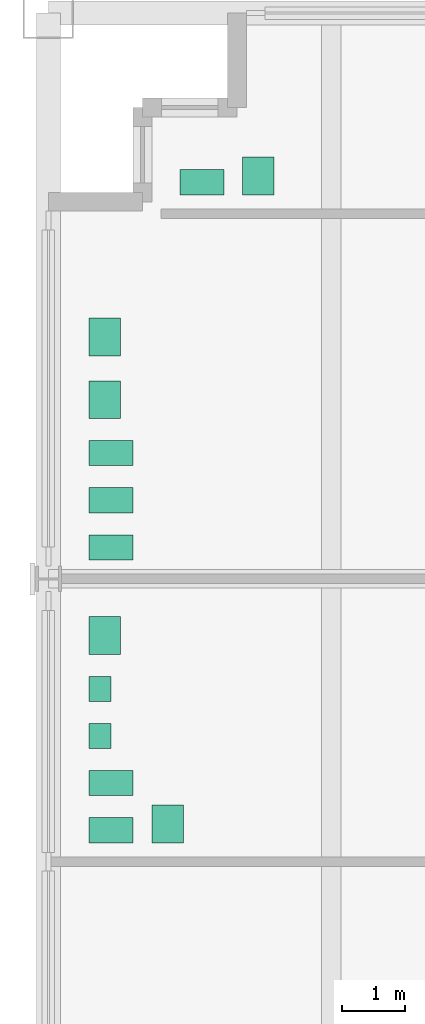
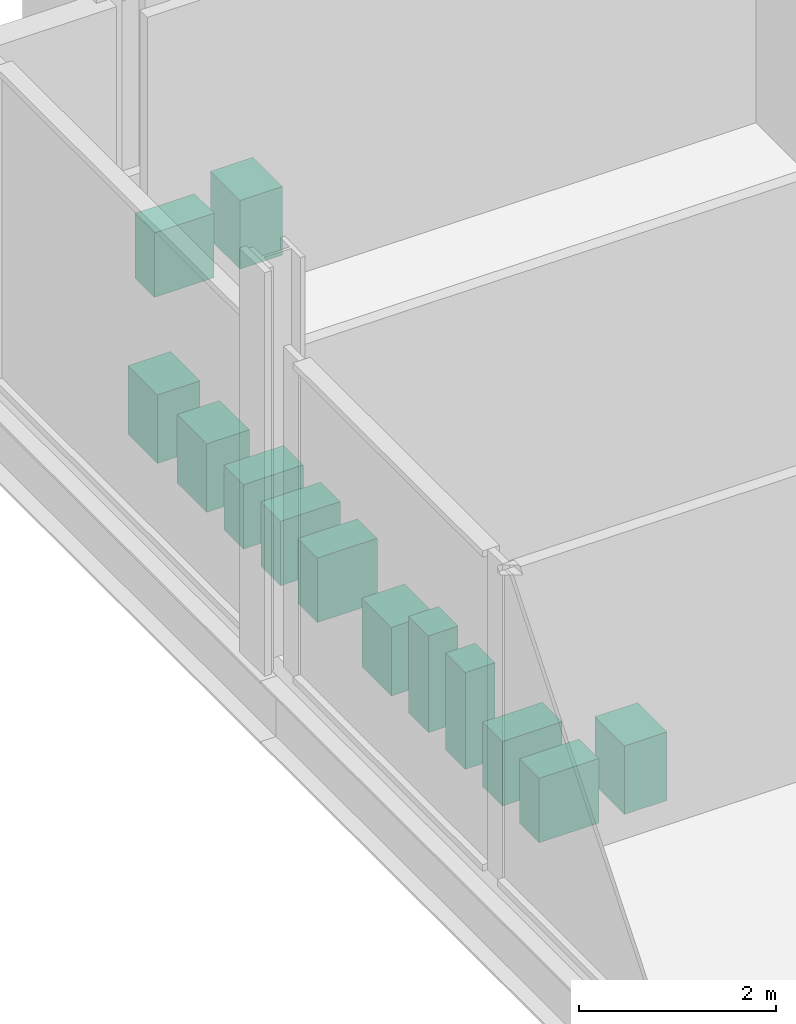
# One storey, part 7 of 7: 13 sanitary terminals.
"""IFC4 building model written with IfcOpenShell, lengths in metres."""

from ifc_helpers import new_model, si_unit, direction, frame, origin, origin_2d, place, context, subcontext, project, spatial, rectangle, extrude, element, save


model = new_model("IFC4")

# Units and contexts
model_context = context("Model", 3, precision=1e-05, world=origin(), true_north=direction((0.0, 1.0)))
body_context = subcontext(model_context, "Body", "Model", "MODEL_VIEW")
ifc_project = project(units=[si_unit("LENGTHUNIT", "METRE"), si_unit("AREAUNIT", "SQUARE_METRE"), si_unit("VOLUMEUNIT", "CUBIC_METRE"), si_unit("PLANEANGLEUNIT", "RADIAN"), si_unit("MASSUNIT", "GRAM", prefix="KILO")], contexts=[model_context])

# Site, building, storey
site_placement = place(None, origin())
site = spatial("IfcSite", under=ifc_project, at=site_placement, CompositionType="ELEMENT")
building_placement = place(site_placement, origin())
building = spatial("IfcBuilding", under=site, at=building_placement, Name="Loomwork Tower", CompositionType="ELEMENT")
storey_placement = place(building_placement, frame((0.0, 0.0, 269.800048828125)))
storey = spatial("IfcBuildingStorey", under=building, at=storey_placement, Name="L74", CompositionType="ELEMENT", Elevation=269.800048828125)

# Sanitary terminals
for number, where, z_axis, x_axis, name in (
    (1, (1.0, 14.0, 0.0), (0.0, 0.0, 1.0), (1.0, 0.0, 0.0), "WC L74"),
    (2, (1.0, 14.75, 0.0), (0.0, 0.0, 1.0), (1.0, 0.0, 0.0), "WC L74"),
):
    element("IfcSanitaryTerminal", number, at=place(storey_placement, frame(where, z_axis=z_axis, x_axis=x_axis)), inside=storey, Name=name, PredefinedType="TOILETPAN", context=body_context, shape_type="SweptSolid", body=[
        extrude(rectangle(XDim=0.699951171875, YDim=0.39990234375, at=origin_2d()), origin(), (0.0, 0.0, 1.0), 0.800048828125),
    ])
for number, where, z_axis, x_axis, name in (
    (3, (0.824951171875, 15.5, 0.0), (0.0, 0.0, 1.0), (1.0, 0.0, 0.0), "Urinal L74"),
    (4, (0.824951171875, 16.25, 0.0), (0.0, 0.0, 1.0), (1.0, 0.0, 0.0), "Urinal L74"),
):
    element("IfcSanitaryTerminal", number, at=place(storey_placement, frame(where, z_axis=z_axis, x_axis=x_axis)), inside=storey, Name=name, PredefinedType="URINAL", context=body_context, shape_type="SweptSolid", body=[
        extrude(rectangle(XDim=0.35009765625, YDim=0.39990234375, at=origin_2d()), origin(), (0.0, 0.0, 1.0), 1.199951171875),
    ])
for number, where, z_axis, x_axis, name in (
    (5, (0.89990234375, 17.10009765625, 0.0), (0.0, 0.0, 1.0), (1.0, 0.0, 0.0), "Basin vanity L74"),
    (6, (1.89990234375, 14.10009765625, 0.0), (0.0, 0.0, 1.0), (1.0, 0.0, 0.0), "Basin vanity L74"),
):
    element("IfcSanitaryTerminal", number, at=place(storey_placement, frame(where, z_axis=z_axis, x_axis=x_axis)), inside=storey, Name=name, PredefinedType="WASHHANDBASIN", context=body_context, shape_type="SweptSolid", body=[
        extrude(rectangle(XDim=0.5, YDim=0.60009765625, at=origin_2d()), origin(), (0.0, 0.0, 1.0), 0.85009765625),
    ])
for number, where, z_axis, x_axis, name in (
    (7, (1.0, 18.5, 0.0), (0.0, 0.0, 1.0), (1.0, 0.0, 0.0), "WC L74"),
    (8, (1.0, 19.25, 0.0), (0.0, 0.0, 1.0), (1.0, 0.0, 0.0), "WC L74"),
    (9, (1.0, 20.0, 0.0), (0.0, 0.0, 1.0), (1.0, 0.0, 0.0), "WC L74"),
):
    element("IfcSanitaryTerminal", number, at=place(storey_placement, frame(where, z_axis=z_axis, x_axis=x_axis)), inside=storey, Name=name, PredefinedType="TOILETPAN", context=body_context, shape_type="SweptSolid", body=[
        extrude(rectangle(XDim=0.699951171875, YDim=0.39990234375, at=origin_2d()), origin(), (0.0, 0.0, 1.0), 0.800048828125),
    ])
for number, where, z_axis, x_axis, name in (
    (10, (0.89990234375, 20.85009765625, 0.0), (0.0, 0.0, 1.0), (1.0, 0.0, 0.0), "Basin vanity L74"),
    (11, (0.89990234375, 21.85009765625, 0.0), (0.0, 0.0, 1.0), (1.0, 0.0, 0.0), "Basin vanity L74"),
):
    element("IfcSanitaryTerminal", number, at=place(storey_placement, frame(where, z_axis=z_axis, x_axis=x_axis)), inside=storey, Name=name, PredefinedType="WASHHANDBASIN", context=body_context, shape_type="SweptSolid", body=[
        extrude(rectangle(XDim=0.5, YDim=0.60009765625, at=origin_2d()), origin(), (0.0, 0.0, 1.0), 0.85009765625),
    ])
sanitary_terminal_1_placement = place(storey_placement, frame((2.443603515625, 24.31005859375, 0.0), z_axis=(0.0, 0.0, 1.0), x_axis=(1.0, 0.0, 0.0)))
element("IfcSanitaryTerminal", 12, at=sanitary_terminal_1_placement, inside=storey, Name="WC L74", PredefinedType="TOILETPAN", context=body_context, shape_type="SweptSolid", body=[
    extrude(rectangle(XDim=0.699951171875, YDim=0.39990234375, at=origin_2d()), origin(), (0.0, 0.0, 1.0), 0.800048828125),
])
sanitary_terminal_2_placement = place(storey_placement, frame((3.34375, 24.409912109375, 0.0), z_axis=(0.0, 0.0, 1.0), x_axis=(1.0, 0.0, 0.0)))
element("IfcSanitaryTerminal", 13, at=sanitary_terminal_2_placement, inside=storey, Name="Basin vanity L74", PredefinedType="WASHHANDBASIN", context=body_context, shape_type="SweptSolid", body=[
    extrude(rectangle(XDim=0.5, YDim=0.60009765625, at=origin_2d()), origin(), (0.0, 0.0, 1.0), 0.85009765625),
])

save(model, "model.ifc")
